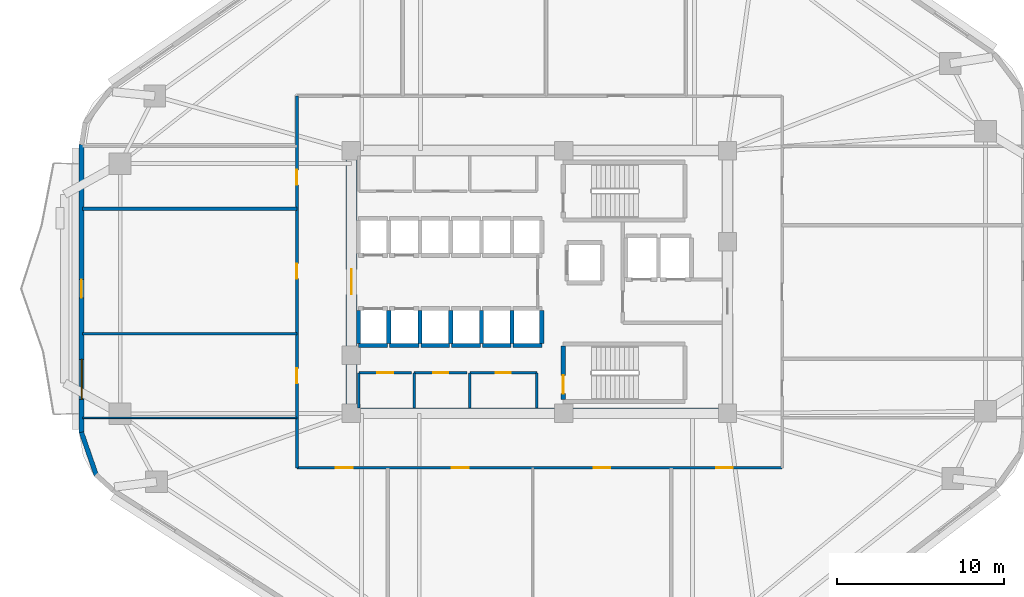
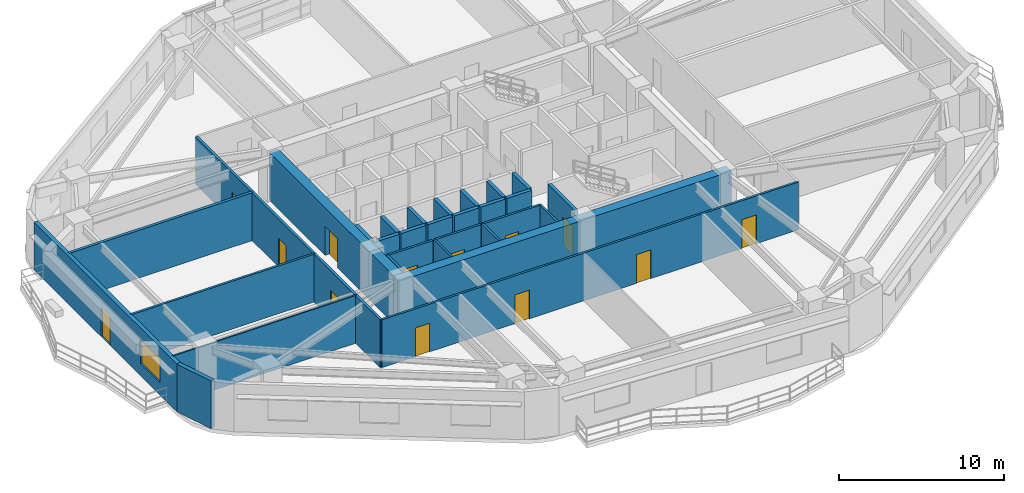
# One storey, part 7 of 14: 30 walls, 13 doors, 1 window, 14 openings.
"""IFC4 building model written with IfcOpenShell, lengths in metres."""

from ifc_helpers import new_model, si_unit, direction, frame, frame_2d, origin, place, context, subcontext, project, spatial, rectangle, extrude, material, layer, layer_set, type_object, element, fill, save


model = new_model("IFC4")

# Units and contexts
model_context = context("Model", 3, precision=1e-05, world=origin(), true_north=direction((0.0, 1.0)))
body_context = subcontext(model_context, "Body", "Model", "MODEL_VIEW")
ifc_project = project(units=[si_unit("LENGTHUNIT", "METRE"), si_unit("AREAUNIT", "SQUARE_METRE"), si_unit("VOLUMEUNIT", "CUBIC_METRE"), si_unit("PLANEANGLEUNIT", "RADIAN"), si_unit("MASSUNIT", "GRAM", prefix="KILO")], contexts=[model_context])

# Site, building, storey
site_placement = place(None, origin())
site = spatial("IfcSite", under=ifc_project, at=site_placement, CompositionType="ELEMENT")
building_placement = place(site_placement, origin())
building = spatial("IfcBuilding", under=site, at=building_placement, Name="Zulverin Broadcast Headquarters", CompositionType="ELEMENT")
storey_placement = place(building_placement, frame((0.0, 0.0, 55.39990234375)))
storey = spatial("IfcBuildingStorey", under=building, at=storey_placement, Name="L13", CompositionType="ELEMENT", Elevation=55.39990234375)

# Walls
ifc_material_1 = material(Name="Acoustic drywall steel stud", Category="steel")
ifc_layer_1 = layer(ifc_material_1, 0.199951171875, Name="Acoustic drywall steel stud", Category="steel")
ifc_layer_set_1 = layer_set([ifc_layer_1], Name="Acoustic drywall steel stud")
wall_type_1 = type_object("IfcWallType", Name="WL-ACOU-200", PredefinedType="PARTITIONING", material=ifc_layer_set_1)
wall_1_placement = place(storey_placement, frame((9.60498046875, 29.60009765625, 0.0), z_axis=(0.0, 0.0, 1.0), x_axis=(1.0, 0.0, 0.0)))
element("IfcWall", 1, at=wall_1_placement, inside=storey, type_object=wall_type_1, Name="L13 Room Partition Wall RP-15", PredefinedType="PARTITIONING", context=body_context, shape_type="SweptSolid", body=[
    extrude(rectangle(XDim=12.844970703125, YDim=0.199951171875, at=frame_2d((6.42236328125, 0.0))), origin(), (0.0, 0.0, 1.0), 3.525146484375),
])
ifc_material_2 = material(Name="Concrete C60/75", Category="concrete")
ifc_layer_2 = layer(ifc_material_2, 0.64990234375, Name="Concrete C60/75", Category="concrete")
ifc_layer_set_2 = layer_set([ifc_layer_2], Name="Concrete C60/75")
wall_type_2 = type_object("IfcWallType", Name="WL-CORE-650", PredefinedType="SHEAR", material=ifc_layer_set_2)
wall_2_placement = place(storey_placement, frame((25.39990234375, 17.324951171875, 0.0), z_axis=(0.0, 0.0, 1.0), x_axis=(1.0, 0.0, 0.0)))
element("IfcWall", 2, at=wall_2_placement, inside=storey, type_object=wall_type_2, Name="L13 Core South Shear Wall", PredefinedType="SHEAR", context=body_context, shape_type="SweptSolid", body=[
    extrude(rectangle(XDim=23.2001953125, YDim=0.64990234375, at=frame_2d((11.60009765625, 0.0))), origin(), (0.0, 0.0, 1.0), 3.525146484375),
])

# Wall, opening, door
wall_3_placement = place(storey_placement, frame((25.72509765625, 17.64990234375, 0.0), z_axis=(0.0, 0.0, 1.0), x_axis=(0.0, 1.0, 0.0)))
wall_3 = element("IfcWall", 3, at=wall_3_placement, inside=storey, type_object=wall_type_2, Name="L13 Core West Shear Wall", PredefinedType="SHEAR", context=body_context, shape_type="SweptSolid", body=[
    extrude(rectangle(XDim=15.10009765625, YDim=0.64990234375, at=frame_2d((7.550048828125, 0.0))), origin(), (0.0, 0.0, 1.0), 3.525146484375),
])
opening_1_placement = place(wall_3_placement, frame((6.800048828125, 0.0, 0.0)))
opening_1 = element("IfcOpeningElement", 4, at=opening_1_placement, cuts=wall_3, Name="Opening D-L13-CW1", PredefinedType="OPENING", context=body_context, shape_type="SweptSolid", body=[
    extrude(rectangle(XDim=1.5, YDim=2.14990234375, at=frame_2d((0.75, 1.074951171875))), frame((0.0, 0.3349609375, 0.0), z_axis=(0.0, -1.0, 0.0), x_axis=(1.0, 0.0, 0.0)), (0.0, 0.0, 1.0), 0.669921875),
])
ifc_material_3 = material(Name="Fire-rated glazed steel frame", Category="steel")
door_type_1 = type_object("IfcDoorType", Name="DR-COR-1500", OperationType="DOUBLE_DOOR_SINGLE_SWING", PredefinedType="DOOR", material=ifc_material_3)
door_1_placement = place(opening_1_placement, origin())
door_1 = element("IfcDoor", 5, at=door_1_placement, inside=storey, type_object=door_type_1, Name="L13 Central Lift Lobby West Portal Door", OperationType="DOUBLE_DOOR_SINGLE_SWING", OverallHeight=2.14990234375, OverallWidth=1.5, PredefinedType="DOOR", context=body_context, shape_type="SweptSolid", body=[
    extrude(rectangle(XDim=1.5, YDim=2.14990234375, at=frame_2d((0.75, 1.074951171875))), frame((0.0, 0.02490234375, 0.0), z_axis=(0.0, -1.0, 0.0), x_axis=(1.0, 0.0, 0.0)), (0.0, 0.0, 1.0), 0.050048828125),
])
fill(opening_1, door_1)

# Wall, openings, door, window
ifc_material_4 = material(Name="Insulated pale-metal clad concrete spandrel C40/50", Category="concrete")
ifc_layer_3 = layer(ifc_material_4, 0.280029296875, Name="Insulated pale-metal clad concrete spandrel C40/50", Category="concrete")
ifc_layer_set_3 = layer_set([ifc_layer_3], Name="Insulated pale-metal clad concrete spandrel C40/50")
wall_type_3 = type_object("IfcWallType", Name="WL-EXT-280", PredefinedType="STANDARD", material=ifc_layer_set_3)
wall_4_placement = place(storey_placement, frame((9.5400390625, 33.4443359375, 0.0), z_axis=(0.0, 0.0, 1.0), x_axis=(0.0, -1.0, 0.0)))
wall_4 = element("IfcWall", 6, at=wall_4_placement, inside=storey, type_object=wall_type_3, Name="L13 Pale-Metal Clad Spandrel Wall 7", PredefinedType="STANDARD", context=body_context, shape_type="SweptSolid", body=[
    extrude(rectangle(XDim=17.30078125, YDim=0.280029296875, at=frame_2d((8.650390625, 0.0))), origin(), (0.0, 0.0, 1.0), 3.525146484375),
])
opening_2_placement = place(wall_4_placement, frame((8.100341796875, 0.0, 0.0)))
opening_2 = element("IfcOpeningElement", 7, at=opening_2_placement, cuts=wall_4, Name="Opening D-L13-TR7", PredefinedType="OPENING", context=body_context, shape_type="SweptSolid", body=[
    extrude(rectangle(XDim=1.10009765625, YDim=2.199951171875, at=frame_2d((0.550048828125, 1.10009765625))), frame((0.0, 0.14990234375, 0.0), z_axis=(0.0, -1.0, 0.0), x_axis=(1.0, 0.0, 0.0)), (0.0, 0.0, 1.0), 0.300048828125),
])
opening_3_placement = place(wall_4_placement, frame((12.884033203125, 0.0, 0.89990234375)))
opening_3 = element("IfcOpeningElement", 8, at=opening_3_placement, cuts=wall_4, Name="Opening W-L13-E71", PredefinedType="OPENING", context=body_context, shape_type="SweptSolid", body=[
    extrude(rectangle(XDim=2.39990234375, YDim=1.75, at=frame_2d((1.199951171875, 0.875))), frame((0.0, 0.14990234375, 0.0), z_axis=(0.0, -1.0, 0.0), x_axis=(1.0, 0.0, 0.0)), (0.0, 0.0, 1.0), 0.300048828125),
])
ifc_material_5 = material(Name="Thermally broken aluminium glazed", Category="aluminium")
door_type_2 = type_object("IfcDoorType", Name="DR-TERR-1100", OperationType="SINGLE_SWING_RIGHT", PredefinedType="DOOR", material=ifc_material_5)
door_2_placement = place(opening_2_placement, origin())
door_2 = element("IfcDoor", 9, at=door_2_placement, inside=storey, type_object=door_type_2, Name="L13 Planted Terrace Glazed Access Door 7", OperationType="SINGLE_SWING_RIGHT", OverallHeight=2.199951171875, OverallWidth=1.10009765625, PredefinedType="DOOR", context=body_context, shape_type="SweptSolid", body=[
    extrude(rectangle(XDim=1.10009765625, YDim=2.199951171875, at=frame_2d((0.550048828125, 1.10009765625))), frame((0.0, 0.02490234375, 0.0), z_axis=(0.0, -1.0, 0.0), x_axis=(1.0, 0.0, 0.0)), (0.0, 0.0, 1.0), 0.050048828125),
])
fill(opening_2, door_2)
ifc_material_6 = material(Name="Pale anodized aluminium frame with solar-control low-E double glazing", Category="aluminium")
window_type = type_object("IfcWindowType", Name="WIN-RIB-2400", PartitioningType="SINGLE_PANEL", PredefinedType="WINDOW", material=ifc_material_6)
window_placement = place(opening_3_placement, origin())
window = element("IfcWindow", 10, at=window_placement, inside=storey, type_object=window_type, Name="L13 Ribbon Glazing Window 7 1", OverallHeight=1.75, OverallWidth=2.39990234375, PartitioningType="SINGLE_PANEL", PredefinedType="WINDOW", context=body_context, shape_type="SweptSolid", body=[
    extrude(rectangle(XDim=2.39990234375, YDim=1.75, at=frame_2d((1.199951171875, 0.875))), frame((0.0, 0.030029296875, 0.0), z_axis=(0.0, -1.0, 0.0), x_axis=(1.0, 0.0, 0.0)), (0.0, 0.0, 1.0), 0.06005859375),
])
fill(opening_3, window)

# Walls
wall_5_placement = place(storey_placement, frame((9.5322265625, 16.189453125, 0.0), z_axis=(0.0, 0.0, 1.0), x_axis=(0.32708309668, -0.944995580871, 0.0)))
element("IfcWall", 11, at=wall_5_placement, inside=storey, type_object=wall_type_3, Name="L13 Wind-Shaped Corner Spandrel Wall 7-1", PredefinedType="STANDARD", context=body_context, shape_type="SweptSolid", body=[
    extrude(rectangle(XDim=2.74755859375, YDim=0.280029296875, at=frame_2d((1.373779296875, 0.0))), origin(), (0.0, 0.0, 1.0), 3.525146484375),
])
ifc_material_7 = material(Name="Fire-rated acoustic laminated glass screen", Category="glass")
ifc_layer_4 = layer(ifc_material_7, 0.10009765625, Name="Fire-rated acoustic laminated glass screen", Category="glass")
ifc_layer_set_4 = layer_set([ifc_layer_4], Name="Fire-rated acoustic laminated glass screen")
wall_type_4 = type_object("IfcWallType", Name="WL-GLAZ-100", PredefinedType="PARTITIONING", material=ifc_layer_set_4)
wall_6_placement = place(storey_placement, frame((9.60498046875, 17.050048828125, 0.0), z_axis=(0.0, 0.0, 1.0), x_axis=(1.0, 0.0, 0.0)))
element("IfcWall", 12, at=wall_6_placement, inside=storey, type_object=wall_type_4, Name="L13 Room Partition Wall RP-10", PredefinedType="PARTITIONING", context=body_context, shape_type="SweptSolid", body=[
    extrude(rectangle(XDim=12.844970703125, YDim=0.10009765625, at=frame_2d((6.42236328125, 0.0))), origin(), (0.0, 0.0, 1.0), 3.525146484375),
])

# Wall, opening, door
ifc_material_8 = material(Name="Fire-rated gypsum stud partition", Category="gypsum")
ifc_layer_5 = layer(ifc_material_8, 0.14990234375, Name="Fire-rated gypsum stud partition", Category="gypsum")
ifc_layer_set_5 = layer_set([ifc_layer_5], Name="Fire-rated gypsum stud partition")
wall_type_5 = type_object("IfcWallType", Name="WL-PART-150", PredefinedType="PARTITIONING", material=ifc_layer_set_5)
wall_7_placement = place(storey_placement, frame((26.169921875, 19.75, 0.0), z_axis=(0.0, 0.0, 1.0), x_axis=(1.0, 0.0, 0.0)))
wall_7 = element("IfcWall", 13, at=wall_7_placement, inside=storey, type_object=wall_type_5, Name="L13 Core Female WC Front Wall", PredefinedType="PARTITIONING", context=body_context, shape_type="SweptSolid", body=[
    extrude(rectangle(XDim=3.150146484375, YDim=0.14990234375, at=frame_2d((1.5751953125, 0.0))), origin(), (0.0, 0.0, 1.0), 3.525146484375),
])
opening_4_placement = place(wall_7_placement, frame((1.10009765625, 0.0, 0.0)))
opening_4 = element("IfcOpeningElement", 14, at=opening_4_placement, cuts=wall_7, Name="Opening D-L13-SC1", PredefinedType="OPENING", context=body_context, shape_type="SweptSolid", body=[
    extrude(rectangle(XDim=0.949951171875, YDim=2.10009765625, at=frame_2d((0.47509765625, 1.050048828125))), frame((0.0, 0.0849609375, 0.0), z_axis=(0.0, -1.0, 0.0), x_axis=(1.0, 0.0, 0.0)), (0.0, 0.0, 1.0), 0.169921875),
])
ifc_material_9 = material(Name="Fire-rated moisture-resistant laminate leaf", Category="wood")
door_type_3 = type_object("IfcDoorType", Name="DR-WC-950", OperationType="SINGLE_SWING_LEFT", PredefinedType="DOOR", material=ifc_material_9)
door_3_placement = place(opening_4_placement, origin())
door_3 = element("IfcDoor", 15, at=door_3_placement, inside=storey, type_object=door_type_3, Name="L13 Female WC Door", OperationType="SINGLE_SWING_RIGHT", OverallHeight=2.10009765625, OverallWidth=0.949951171875, PredefinedType="DOOR", context=body_context, shape_type="SweptSolid", body=[
    extrude(rectangle(XDim=0.949951171875, YDim=2.10009765625, at=frame_2d((0.47509765625, 1.050048828125))), frame((0.0, 0.02490234375, 0.0), z_axis=(0.0, -1.0, 0.0), x_axis=(1.0, 0.0, 0.0)), (0.0, 0.0, 1.0), 0.050048828125),
])
fill(opening_4, door_3)

# Wall
wall_8_placement = place(storey_placement, frame((26.169921875, 17.64990234375, 0.0), z_axis=(0.0, 0.0, 1.0), x_axis=(0.0, 1.0, 0.0)))
element("IfcWall", 16, at=wall_8_placement, inside=storey, type_object=wall_type_5, Name="L13 Core Female WC West Wall", PredefinedType="PARTITIONING", context=body_context, shape_type="SweptSolid", body=[
    extrude(rectangle(XDim=2.10009765625, YDim=0.14990234375, at=frame_2d((1.050048828125, 0.0))), origin(), (0.0, 0.0, 1.0), 3.525146484375),
])

# Wall, opening, door
wall_9_placement = place(storey_placement, frame((29.47998046875, 19.75, 0.0), z_axis=(0.0, 0.0, 1.0), x_axis=(1.0, 0.0, 0.0)))
wall_9 = element("IfcWall", 17, at=wall_9_placement, inside=storey, type_object=wall_type_5, Name="L13 Core Cleaner Store Front Wall", PredefinedType="PARTITIONING", context=body_context, shape_type="SweptSolid", body=[
    extrude(rectangle(XDim=3.18994140625, YDim=0.14990234375, at=frame_2d((1.594970703125, 0.0))), origin(), (0.0, 0.0, 1.0), 3.525146484375),
])
opening_5_placement = place(wall_9_placement, frame((1.14501953125, 0.0, 0.0)))
opening_5 = element("IfcOpeningElement", 18, at=opening_5_placement, cuts=wall_9, Name="Opening D-L13-SC2", PredefinedType="OPENING", context=body_context, shape_type="SweptSolid", body=[
    extrude(rectangle(XDim=0.89990234375, YDim=2.10009765625, at=frame_2d((0.449951171875, 1.050048828125))), frame((0.0, 0.0849609375, 0.0), z_axis=(0.0, -1.0, 0.0), x_axis=(1.0, 0.0, 0.0)), (0.0, 0.0, 1.0), 0.169921875),
])
ifc_material_10 = material(Name="Powder-coated steel access leaf", Category="steel")
door_type_4 = type_object("IfcDoorType", Name="DR-RISER-900", OperationType="SINGLE_SWING_LEFT", PredefinedType="DOOR", material=ifc_material_10)
door_4_placement = place(opening_5_placement, origin())
door_4 = element("IfcDoor", 19, at=door_4_placement, inside=storey, type_object=door_type_4, Name="L13 Cleaner Store Door", OperationType="SINGLE_SWING_LEFT", OverallHeight=2.10009765625, OverallWidth=0.89990234375, PredefinedType="DOOR", context=body_context, shape_type="SweptSolid", body=[
    extrude(rectangle(XDim=0.89990234375, YDim=2.10009765625, at=frame_2d((0.449951171875, 1.050048828125))), frame((0.0, 0.02490234375, 0.0), z_axis=(0.0, -1.0, 0.0), x_axis=(1.0, 0.0, 0.0)), (0.0, 0.0, 1.0), 0.050048828125),
])
fill(opening_5, door_4)

# Wall
wall_10_placement = place(storey_placement, frame((29.47998046875, 17.64990234375, 0.0), z_axis=(0.0, 0.0, 1.0), x_axis=(0.0, 1.0, 0.0)))
element("IfcWall", 20, at=wall_10_placement, inside=storey, type_object=wall_type_5, Name="L13 Core Cleaner Store West Wall", PredefinedType="PARTITIONING", context=body_context, shape_type="SweptSolid", body=[
    extrude(rectangle(XDim=2.10009765625, YDim=0.14990234375, at=frame_2d((1.050048828125, 0.0))), origin(), (0.0, 0.0, 1.0), 3.525146484375),
])

# Wall, opening, door
wall_11_placement = place(storey_placement, frame((32.830078125, 19.75, 0.0), z_axis=(0.0, 0.0, 1.0), x_axis=(1.0, 0.0, 0.0)))
wall_11 = element("IfcWall", 21, at=wall_11_placement, inside=storey, type_object=wall_type_5, Name="L13 Core Broadcast Fibre Riser Front Wall", PredefinedType="PARTITIONING", context=body_context, shape_type="SweptSolid", body=[
    extrude(rectangle(XDim=4.02001953125, YDim=0.14990234375, at=frame_2d((2.010009765625, 0.0))), origin(), (0.0, 0.0, 1.0), 3.525146484375),
])
opening_6_placement = place(wall_11_placement, frame((1.56005859375, 0.0, 0.0)))
opening_6 = element("IfcOpeningElement", 22, at=opening_6_placement, cuts=wall_11, Name="Opening D-L13-SC3", PredefinedType="OPENING", context=body_context, shape_type="SweptSolid", body=[
    extrude(rectangle(XDim=0.89990234375, YDim=2.10009765625, at=frame_2d((0.449951171875, 1.050048828125))), frame((0.0, 0.0849609375, 0.0), z_axis=(0.0, -1.0, 0.0), x_axis=(1.0, 0.0, 0.0)), (0.0, 0.0, 1.0), 0.169921875),
])
door_5_placement = place(opening_6_placement, origin())
door_5 = element("IfcDoor", 23, at=door_5_placement, inside=storey, type_object=door_type_4, Name="L13 Broadcast Fibre Riser Door", OperationType="SINGLE_SWING_RIGHT", OverallHeight=2.10009765625, OverallWidth=0.89990234375, PredefinedType="DOOR", context=body_context, shape_type="SweptSolid", body=[
    extrude(rectangle(XDim=0.89990234375, YDim=2.10009765625, at=frame_2d((0.449951171875, 1.050048828125))), frame((0.0, 0.02490234375, 0.0), z_axis=(0.0, -1.0, 0.0), x_axis=(1.0, 0.0, 0.0)), (0.0, 0.0, 1.0), 0.050048828125),
])
fill(opening_6, door_5)

# Walls
for number, where, z_axis, x_axis, name in (
    (24, (32.830078125, 17.64990234375, 0.0), (0.0, 0.0, 1.0), (0.0, 1.0, 0.0), "L13 Core Broadcast Fibre Riser West Wall"),
    (25, (36.85009765625, 17.64990234375, 0.0), (0.0, 0.0, 1.0), (0.0, 1.0, 0.0), "L13 Core Broadcast Fibre Riser East Wall"),
):
    element("IfcWall", number, at=place(storey_placement, frame(where, z_axis=z_axis, x_axis=x_axis)), inside=storey, type_object=wall_type_5, Name=name, PredefinedType="PARTITIONING", context=body_context, shape_type="SweptSolid", body=[
        extrude(rectangle(XDim=2.10009765625, YDim=0.14990234375, at=frame_2d((1.050048828125, 0.0))), origin(), (0.0, 0.0, 1.0), 3.525146484375),
    ])

# Wall, openings, doors
wall_12_placement = place(storey_placement, frame((22.449951171875, 14.050048828125, 0.0), z_axis=(0.0, 0.0, 1.0), x_axis=(1.0, 0.0, 0.0)))
wall_12 = element("IfcWall", 26, at=wall_12_placement, inside=storey, type_object=wall_type_5, Name="L13 Gallery Partition Wall CG-09", PredefinedType="PARTITIONING", context=body_context, shape_type="SweptSolid", body=[
    extrude(rectangle(XDim=29.10009765625, YDim=0.14990234375, at=frame_2d((14.550048828125, 0.0))), origin(), (0.0, 0.0, 1.0), 3.525146484375),
])
opening_7_placement = place(wall_12_placement, frame((2.344970703125, 0.0, 0.0)))
opening_7 = element("IfcOpeningElement", 27, at=opening_7_placement, cuts=wall_12, Name="Opening D-L13-05", PredefinedType="OPENING", context=body_context, shape_type="SweptSolid", body=[
    extrude(rectangle(XDim=1.0, YDim=2.1201171875, at=frame_2d((0.5, 1.06005859375))), frame((0.0, 0.0849609375, 0.0), z_axis=(0.0, -1.0, 0.0), x_axis=(1.0, 0.0, 0.0)), (0.0, 0.0, 1.0), 0.169921875),
])
opening_8_placement = place(wall_12_placement, frame((9.300048828125, 0.0, 0.0)))
opening_8 = element("IfcOpeningElement", 28, at=opening_8_placement, cuts=wall_12, Name="Opening D-L13-06", PredefinedType="OPENING", context=body_context, shape_type="SweptSolid", body=[
    extrude(rectangle(XDim=1.0, YDim=2.1201171875, at=frame_2d((0.5, 1.06005859375))), frame((0.0, 0.0849609375, 0.0), z_axis=(0.0, -1.0, 0.0), x_axis=(1.0, 0.0, 0.0)), (0.0, 0.0, 1.0), 0.169921875),
])
opening_9_placement = place(wall_12_placement, frame((17.800048828125, 0.0, 0.0)))
opening_9 = element("IfcOpeningElement", 29, at=opening_9_placement, cuts=wall_12, Name="Opening D-L13-07", PredefinedType="OPENING", context=body_context, shape_type="SweptSolid", body=[
    extrude(rectangle(XDim=1.0, YDim=2.1201171875, at=frame_2d((0.5, 1.06005859375))), frame((0.0, 0.0849609375, 0.0), z_axis=(0.0, -1.0, 0.0), x_axis=(1.0, 0.0, 0.0)), (0.0, 0.0, 1.0), 0.169921875),
])
opening_10_placement = place(wall_12_placement, frame((25.155029296875, 0.0, 0.0)))
opening_10 = element("IfcOpeningElement", 30, at=opening_10_placement, cuts=wall_12, Name="Opening D-L13-08", PredefinedType="OPENING", context=body_context, shape_type="SweptSolid", body=[
    extrude(rectangle(XDim=1.0, YDim=2.1201171875, at=frame_2d((0.5, 1.06005859375))), frame((0.0, 0.0849609375, 0.0), z_axis=(0.0, -1.0, 0.0), x_axis=(1.0, 0.0, 0.0)), (0.0, 0.0, 1.0), 0.169921875),
])
ifc_material_11 = material(Name="Hardwood veneer acoustic leaf", Category="wood")
door_type_5 = type_object("IfcDoorType", Name="DR-OFF-1000", OperationType="SINGLE_SWING_LEFT", PredefinedType="DOOR", material=ifc_material_11)
door_6_placement = place(opening_7_placement, origin())
door_6 = element("IfcDoor", 31, at=door_6_placement, inside=storey, type_object=door_type_5, Name="L13 Admin Office Door", OperationType="SINGLE_SWING_RIGHT", OverallHeight=2.1201171875, OverallWidth=1.0, PredefinedType="DOOR", context=body_context, shape_type="SweptSolid", body=[
    extrude(rectangle(XDim=1.0, YDim=2.1201171875, at=frame_2d((0.5, 1.06005859375))), frame((0.0, 0.02490234375, 0.0), z_axis=(0.0, -1.0, 0.0), x_axis=(1.0, 0.0, 0.0)), (0.0, 0.0, 1.0), 0.050048828125),
])
fill(opening_7, door_6)
door_7_placement = place(opening_8_placement, origin())
door_7 = element("IfcDoor", 32, at=door_7_placement, inside=storey, type_object=door_type_5, Name="L13 Scheduling Office Door", OperationType="SINGLE_SWING_LEFT", OverallHeight=2.1201171875, OverallWidth=1.0, PredefinedType="DOOR", context=body_context, shape_type="SweptSolid", body=[
    extrude(rectangle(XDim=1.0, YDim=2.1201171875, at=frame_2d((0.5, 1.06005859375))), frame((0.0, 0.02490234375, 0.0), z_axis=(0.0, -1.0, 0.0), x_axis=(1.0, 0.0, 0.0)), (0.0, 0.0, 1.0), 0.050048828125),
])
fill(opening_8, door_7)
door_8_placement = place(opening_9_placement, origin())
door_8 = element("IfcDoor", 33, at=door_8_placement, inside=storey, type_object=door_type_5, Name="L13 Desk Office Door", OperationType="SINGLE_SWING_RIGHT", OverallHeight=2.1201171875, OverallWidth=1.0, PredefinedType="DOOR", context=body_context, shape_type="SweptSolid", body=[
    extrude(rectangle(XDim=1.0, YDim=2.1201171875, at=frame_2d((0.5, 1.06005859375))), frame((0.0, 0.02490234375, 0.0), z_axis=(0.0, -1.0, 0.0), x_axis=(1.0, 0.0, 0.0)), (0.0, 0.0, 1.0), 0.050048828125),
])
fill(opening_9, door_8)
door_9_placement = place(opening_10_placement, origin())
door_9 = element("IfcDoor", 34, at=door_9_placement, inside=storey, type_object=door_type_5, Name="L13 Wire Office Door", OperationType="SINGLE_SWING_LEFT", OverallHeight=2.1201171875, OverallWidth=1.0, PredefinedType="DOOR", context=body_context, shape_type="SweptSolid", body=[
    extrude(rectangle(XDim=1.0, YDim=2.1201171875, at=frame_2d((0.5, 1.06005859375))), frame((0.0, 0.02490234375, 0.0), z_axis=(0.0, -1.0, 0.0), x_axis=(1.0, 0.0, 0.0)), (0.0, 0.0, 1.0), 0.050048828125),
])
fill(opening_10, door_9)

# Wall
wall_13_placement = place(storey_placement, frame((9.60498046875, 22.10009765625, 0.0), z_axis=(0.0, 0.0, 1.0), x_axis=(1.0, 0.0, 0.0)))
element("IfcWall", 35, at=wall_13_placement, inside=storey, type_object=wall_type_5, Name="L13 Room Partition Wall RP-13", PredefinedType="PARTITIONING", context=body_context, shape_type="SweptSolid", body=[
    extrude(rectangle(XDim=12.844970703125, YDim=0.14990234375, at=frame_2d((6.42236328125, 0.0))), origin(), (0.0, 0.0, 1.0), 3.525146484375),
])

# Wall, openings, doors
ifc_material_12 = material(Name="Fire-rated acoustic stud wall", Category="gypsum")
ifc_layer_6 = layer(ifc_material_12, 0.175048828125, Name="Fire-rated acoustic stud wall", Category="gypsum")
ifc_layer_set_6 = layer_set([ifc_layer_6], Name="Fire-rated acoustic stud wall")
wall_type_6 = type_object("IfcWallType", Name="WL-PART-175", PredefinedType="PARTITIONING", material=ifc_layer_set_6)
wall_14_placement = place(storey_placement, frame((22.449951171875, 14.050048828125, 0.0), z_axis=(0.0, 0.0, 1.0), x_axis=(0.0, 1.0, 0.0)))
wall_14 = element("IfcWall", 36, at=wall_14_placement, inside=storey, type_object=wall_type_6, Name="L13 Gallery Partition Wall CG-08", PredefinedType="PARTITIONING", context=body_context, shape_type="SweptSolid", body=[
    extrude(rectangle(XDim=22.300048828125, YDim=0.175048828125, at=frame_2d((11.14990234375, 0.0))), origin(), (0.0, 0.0, 1.0), 3.525146484375),
])
opening_11_placement = place(wall_14_placement, frame((5.074951171875, 0.0, 0.0)))
opening_11 = element("IfcOpeningElement", 37, at=opening_11_placement, cuts=wall_14, Name="Opening D-L13-09", PredefinedType="OPENING", context=body_context, shape_type="SweptSolid", body=[
    extrude(rectangle(XDim=0.89990234375, YDim=2.10009765625, at=frame_2d((0.449951171875, 1.050048828125))), frame((0.0, 0.097412109375, 0.0), z_axis=(0.0, -1.0, 0.0), x_axis=(1.0, 0.0, 0.0)), (0.0, 0.0, 1.0), 0.195068359375),
])
opening_12_placement = place(wall_14_placement, frame((11.35009765625, 0.0, 0.0)))
opening_12 = element("IfcOpeningElement", 38, at=opening_12_placement, cuts=wall_14, Name="Opening D-L13-10", PredefinedType="OPENING", context=body_context, shape_type="SweptSolid", body=[
    extrude(rectangle(XDim=0.89990234375, YDim=2.10009765625, at=frame_2d((0.449951171875, 1.050048828125))), frame((0.0, 0.097412109375, 0.0), z_axis=(0.0, -1.0, 0.0), x_axis=(1.0, 0.0, 0.0)), (0.0, 0.0, 1.0), 0.195068359375),
])
opening_13_placement = place(wall_14_placement, frame((16.97509765625, 0.0, 0.0)))
opening_13 = element("IfcOpeningElement", 39, at=opening_13_placement, cuts=wall_14, Name="Opening D-L13-11", PredefinedType="OPENING", context=body_context, shape_type="SweptSolid", body=[
    extrude(rectangle(XDim=0.89990234375, YDim=2.10009765625, at=frame_2d((0.449951171875, 1.050048828125))), frame((0.0, 0.097412109375, 0.0), z_axis=(0.0, -1.0, 0.0), x_axis=(1.0, 0.0, 0.0)), (0.0, 0.0, 1.0), 0.195068359375),
])
ifc_material_13 = material(Name="Fire-rated hardwood veneer timber leaf", Category="wood")
door_type_6 = type_object("IfcDoorType", Name="DR-ROOM-900", OperationType="SINGLE_SWING_RIGHT", PredefinedType="DOOR", material=ifc_material_13)
door_10_placement = place(opening_11_placement, origin())
door_10 = element("IfcDoor", 40, at=door_10_placement, inside=storey, type_object=door_type_6, Name="L13 Production Meeting Room Door", OperationType="SINGLE_SWING_RIGHT", OverallHeight=2.10009765625, OverallWidth=0.89990234375, PredefinedType="DOOR", context=body_context, shape_type="SweptSolid", body=[
    extrude(rectangle(XDim=0.89990234375, YDim=2.10009765625, at=frame_2d((0.449951171875, 1.050048828125))), frame((0.0, 0.02490234375, 0.0), z_axis=(0.0, -1.0, 0.0), x_axis=(1.0, 0.0, 0.0)), (0.0, 0.0, 1.0), 0.050048828125),
])
fill(opening_11, door_10)
door_11_placement = place(opening_12_placement, origin())
door_11 = element("IfcDoor", 41, at=door_11_placement, inside=storey, type_object=door_type_6, Name="L13 Briefing Room Door", OperationType="SINGLE_SWING_LEFT", OverallHeight=2.10009765625, OverallWidth=0.89990234375, PredefinedType="DOOR", context=body_context, shape_type="SweptSolid", body=[
    extrude(rectangle(XDim=0.89990234375, YDim=2.10009765625, at=frame_2d((0.449951171875, 1.050048828125))), frame((0.0, 0.02490234375, 0.0), z_axis=(0.0, -1.0, 0.0), x_axis=(1.0, 0.0, 0.0)), (0.0, 0.0, 1.0), 0.050048828125),
])
fill(opening_12, door_11)
door_12_placement = place(opening_13_placement, origin())
door_12 = element("IfcDoor", 42, at=door_12_placement, inside=storey, type_object=door_type_6, Name="L13 Refreshment Pantry Door", OperationType="SINGLE_SWING_RIGHT", OverallHeight=2.10009765625, OverallWidth=0.89990234375, PredefinedType="DOOR", context=body_context, shape_type="SweptSolid", body=[
    extrude(rectangle(XDim=0.89990234375, YDim=2.10009765625, at=frame_2d((0.449951171875, 1.050048828125))), frame((0.0, 0.02490234375, 0.0), z_axis=(0.0, -1.0, 0.0), x_axis=(1.0, 0.0, 0.0)), (0.0, 0.0, 1.0), 0.050048828125),
])
fill(opening_13, door_12)

# Wall, opening, door
ifc_material_14 = material(Name="Concrete C50/60", Category="concrete")
ifc_layer_7 = layer(ifc_material_14, 0.25, Name="Concrete C50/60", Category="concrete")
ifc_layer_set_7 = layer_set([ifc_layer_7], Name="Concrete C50/60")
wall_type_7 = type_object("IfcWallType", Name="WL-SHAFT-250", PredefinedType="SHEAR", material=ifc_layer_set_7)
wall_15_placement = place(storey_placement, frame((38.425048828125, 18.14990234375, 0.0), z_axis=(0.0, 0.0, 1.0), x_axis=(0.0, 1.0, 0.0)))
wall_15 = element("IfcWall", 43, at=wall_15_placement, inside=storey, type_object=wall_type_7, Name="L13 ST-2 Enclosure Wall W", PredefinedType="SHEAR", context=body_context, shape_type="SweptSolid", body=[
    extrude(rectangle(XDim=3.2001953125, YDim=0.25, at=frame_2d((1.60009765625, 0.0))), origin(), (0.0, 0.0, 1.0), 3.525146484375),
])
opening_14_placement = place(wall_15_placement, frame((0.35009765625, 0.0, 0.0)))
opening_14 = element("IfcOpeningElement", 44, at=opening_14_placement, cuts=wall_15, Name="Opening D-L13-ST-2", PredefinedType="OPENING", context=body_context, shape_type="SweptSolid", body=[
    extrude(rectangle(XDim=1.10009765625, YDim=2.14990234375, at=frame_2d((0.550048828125, 1.074951171875))), frame((0.0, 0.135009765625, 0.0), z_axis=(0.0, -1.0, 0.0), x_axis=(1.0, 0.0, 0.0)), (0.0, 0.0, 1.0), 0.27001953125),
])
ifc_material_15 = material(Name="Fire-rated steel leaf and frame", Category="steel")
door_type_7 = type_object("IfcDoorType", Name="DR-STAIR-1100", OperationType="SINGLE_SWING_LEFT", PredefinedType="DOOR", material=ifc_material_15)
door_13_placement = place(opening_14_placement, origin())
door_13 = element("IfcDoor", 45, at=door_13_placement, inside=storey, type_object=door_type_7, Name="L13 Exit Stair ST-2 Fire Door", OperationType="SINGLE_SWING_RIGHT", OverallHeight=2.14990234375, OverallWidth=1.10009765625, PredefinedType="DOOR", context=body_context, shape_type="SweptSolid", body=[
    extrude(rectangle(XDim=1.10009765625, YDim=2.14990234375, at=frame_2d((0.550048828125, 1.074951171875))), frame((0.0, 0.02490234375, 0.0), z_axis=(0.0, -1.0, 0.0), x_axis=(1.0, 0.0, 0.0)), (0.0, 0.0, 1.0), 0.050048828125),
])
fill(opening_14, door_13)

# Walls
wall_16_placement = place(storey_placement, frame((26.14990234375, 21.39990234375, 0.0), z_axis=(0.0, 0.0, 1.0), x_axis=(1.0, 0.0, 0.0)))
element("IfcWall", 46, at=wall_16_placement, inside=storey, type_object=wall_type_7, Name="L13 Lift PL-L3 Shaft Wall S", PredefinedType="SHEAR", context=body_context, shape_type="SweptSolid", body=[
    extrude(rectangle(XDim=1.75, YDim=0.25, at=frame_2d((0.875, 0.0))), origin(), (0.0, 0.0, 1.0), 3.525146484375),
])
for number, where, z_axis, x_axis, name in (
    (47, (26.14990234375, 21.52001953125, 0.0), (0.0, 0.0, 1.0), (0.0, 1.0, 0.0), "L13 Lift PL-L3 Shaft Wall W"),
    (48, (27.9599609375, 21.52001953125, 0.0), (0.0, 0.0, 1.0), (0.0, 1.0, 0.0), "L13 Lift PL-L3 Shaft Wall E"),
):
    element("IfcWall", number, at=place(storey_placement, frame(where, z_axis=z_axis, x_axis=x_axis)), inside=storey, type_object=wall_type_7, Name=name, PredefinedType="SHEAR", context=body_context, shape_type="SweptSolid", body=[
        extrude(rectangle(XDim=1.9599609375, YDim=0.25, at=frame_2d((0.97998046875, 0.0))), origin(), (0.0, 0.0, 1.0), 3.525146484375),
    ])
wall_17_placement = place(storey_placement, frame((28.02001953125, 21.39990234375, 0.0), z_axis=(0.0, 0.0, 1.0), x_axis=(1.0, 0.0, 0.0)))
element("IfcWall", 49, at=wall_17_placement, inside=storey, type_object=wall_type_7, Name="L13 Lift PL-L4 Shaft Wall S", PredefinedType="SHEAR", context=body_context, shape_type="SweptSolid", body=[
    extrude(rectangle(XDim=1.75, YDim=0.25, at=frame_2d((0.875, 0.0))), origin(), (0.0, 0.0, 1.0), 3.525146484375),
])
wall_18_placement = place(storey_placement, frame((29.8349609375, 21.52001953125, 0.0), z_axis=(0.0, 0.0, 1.0), x_axis=(0.0, 1.0, 0.0)))
element("IfcWall", 50, at=wall_18_placement, inside=storey, type_object=wall_type_7, Name="L13 Lift PL-L4 Shaft Wall E", PredefinedType="SHEAR", context=body_context, shape_type="SweptSolid", body=[
    extrude(rectangle(XDim=1.9599609375, YDim=0.25, at=frame_2d((0.97998046875, 0.0))), origin(), (0.0, 0.0, 1.0), 3.525146484375),
])
wall_19_placement = place(storey_placement, frame((29.89990234375, 21.39990234375, 0.0), z_axis=(0.0, 0.0, 1.0), x_axis=(1.0, 0.0, 0.0)))
element("IfcWall", 51, at=wall_19_placement, inside=storey, type_object=wall_type_7, Name="L13 Lift PL-M1 Shaft Wall S", PredefinedType="SHEAR", context=body_context, shape_type="SweptSolid", body=[
    extrude(rectangle(XDim=1.72021484375, YDim=0.25, at=frame_2d((0.860107421875, 0.0))), origin(), (0.0, 0.0, 1.0), 3.525146484375),
])
wall_20_placement = place(storey_placement, frame((31.679931640625, 21.52001953125, 0.0), z_axis=(0.0, 0.0, 1.0), x_axis=(0.0, 1.0, 0.0)))
element("IfcWall", 52, at=wall_20_placement, inside=storey, type_object=wall_type_7, Name="L13 Lift PL-M1 Shaft Wall E", PredefinedType="SHEAR", context=body_context, shape_type="SweptSolid", body=[
    extrude(rectangle(XDim=1.9599609375, YDim=0.25, at=frame_2d((0.97998046875, 0.0))), origin(), (0.0, 0.0, 1.0), 3.525146484375),
])
wall_21_placement = place(storey_placement, frame((31.739990234375, 21.39990234375, 0.0), z_axis=(0.0, 0.0, 1.0), x_axis=(1.0, 0.0, 0.0)))
element("IfcWall", 53, at=wall_21_placement, inside=storey, type_object=wall_type_7, Name="L13 Lift PL-M2 Shaft Wall S", PredefinedType="SHEAR", context=body_context, shape_type="SweptSolid", body=[
    extrude(rectangle(XDim=1.719970703125, YDim=0.25, at=frame_2d((0.85986328125, 0.0))), origin(), (0.0, 0.0, 1.0), 3.525146484375),
])
wall_22_placement = place(storey_placement, frame((33.52001953125, 21.52001953125, 0.0), z_axis=(0.0, 0.0, 1.0), x_axis=(0.0, 1.0, 0.0)))
element("IfcWall", 54, at=wall_22_placement, inside=storey, type_object=wall_type_7, Name="L13 Lift PL-M2 Shaft Wall E", PredefinedType="SHEAR", context=body_context, shape_type="SweptSolid", body=[
    extrude(rectangle(XDim=1.9599609375, YDim=0.25, at=frame_2d((0.97998046875, 0.0))), origin(), (0.0, 0.0, 1.0), 3.525146484375),
])
wall_23_placement = place(storey_placement, frame((33.580078125, 21.39990234375, 0.0), z_axis=(0.0, 0.0, 1.0), x_axis=(1.0, 0.0, 0.0)))
element("IfcWall", 55, at=wall_23_placement, inside=storey, type_object=wall_type_7, Name="L13 Lift PL-M3 Shaft Wall S", PredefinedType="SHEAR", context=body_context, shape_type="SweptSolid", body=[
    extrude(rectangle(XDim=1.719970703125, YDim=0.25, at=frame_2d((0.85986328125, 0.0))), origin(), (0.0, 0.0, 1.0), 3.525146484375),
])
wall_24_placement = place(storey_placement, frame((35.360107421875, 21.52001953125, 0.0), z_axis=(0.0, 0.0, 1.0), x_axis=(0.0, 1.0, 0.0)))
element("IfcWall", 56, at=wall_24_placement, inside=storey, type_object=wall_type_7, Name="L13 Lift PL-M3 Shaft Wall E", PredefinedType="SHEAR", context=body_context, shape_type="SweptSolid", body=[
    extrude(rectangle(XDim=1.9599609375, YDim=0.25, at=frame_2d((0.97998046875, 0.0))), origin(), (0.0, 0.0, 1.0), 3.525146484375),
])
wall_25_placement = place(storey_placement, frame((35.419921875, 21.39990234375, 0.0), z_axis=(0.0, 0.0, 1.0), x_axis=(1.0, 0.0, 0.0)))
element("IfcWall", 57, at=wall_25_placement, inside=storey, type_object=wall_type_7, Name="L13 Lift PL-M4 Shaft Wall S", PredefinedType="SHEAR", context=body_context, shape_type="SweptSolid", body=[
    extrude(rectangle(XDim=1.719970703125, YDim=0.25, at=frame_2d((0.85986328125, 0.0))), origin(), (0.0, 0.0, 1.0), 3.525146484375),
])
wall_26_placement = place(storey_placement, frame((37.139892578125, 21.52001953125, 0.0), z_axis=(0.0, 0.0, 1.0), x_axis=(0.0, 1.0, 0.0)))
element("IfcWall", 58, at=wall_26_placement, inside=storey, type_object=wall_type_7, Name="L13 Lift PL-M4 Shaft Wall E", PredefinedType="SHEAR", context=body_context, shape_type="SweptSolid", body=[
    extrude(rectangle(XDim=1.9599609375, YDim=0.25, at=frame_2d((0.97998046875, 0.0))), origin(), (0.0, 0.0, 1.0), 3.525146484375),
])

save(model, "model.ifc")
